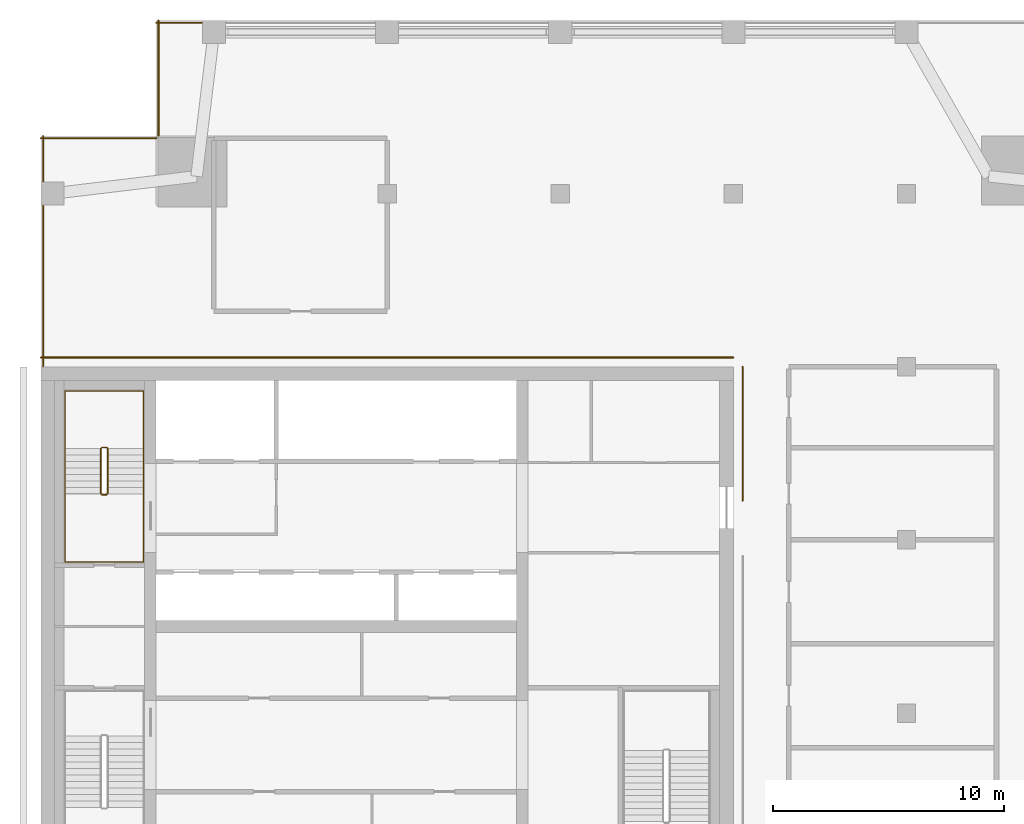
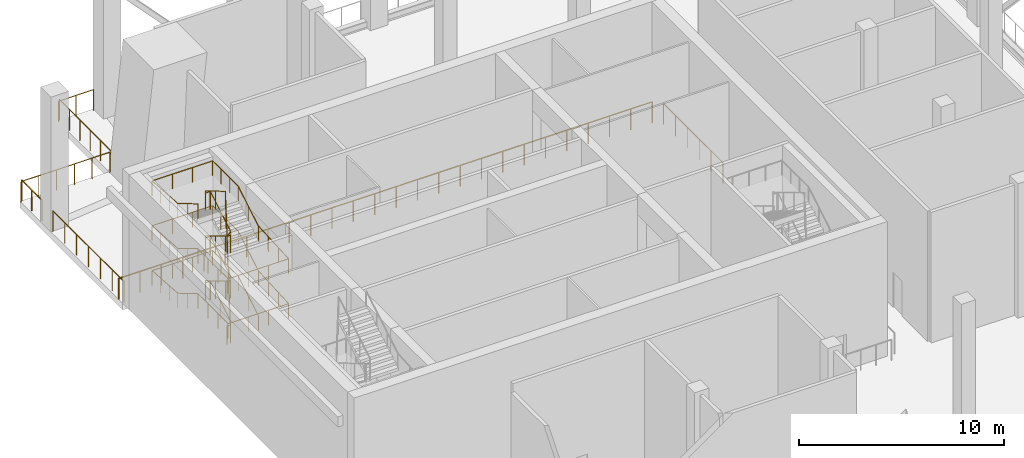
# One storey, part 10 of 11: 9 railings.
"""IFC4 building model written with IfcOpenShell, lengths in metres."""

from ifc_helpers import new_model, si_unit, direction, frame, origin, origin_2d, place, context, subcontext, project, spatial, circle, extrude, material, type_object, element, save


model = new_model("IFC4")

# Units and contexts
model_context = context("Model", 3, precision=1e-05, world=origin(), true_north=direction((0.0, 1.0)))
body_context = subcontext(model_context, "Body", "Model", "MODEL_VIEW")
ifc_project = project(units=[si_unit("LENGTHUNIT", "METRE"), si_unit("AREAUNIT", "SQUARE_METRE"), si_unit("VOLUMEUNIT", "CUBIC_METRE"), si_unit("PLANEANGLEUNIT", "RADIAN"), si_unit("MASSUNIT", "GRAM", prefix="KILO")], contexts=[model_context])

# Site, building, storey
site_placement = place(None, origin())
site = spatial("IfcSite", under=ifc_project, at=site_placement, CompositionType="ELEMENT")
building_placement = place(site_placement, origin())
building = spatial("IfcBuilding", under=site, at=building_placement, Name="Tamorin Gate", CompositionType="ELEMENT")
storey_placement = place(building_placement, frame((0.0, 0.0, 258.199951171875)))
storey = spatial("IfcBuildingStorey", under=building, at=storey_placement, Name="L65", CompositionType="ELEMENT", Elevation=258.199951171875)

# Railings
ifc_material_1 = material(Name="Painted steel balustrade", Category="steel")
railing_type_1 = type_object("IfcRailingType", Name="Stair guard 1100", PredefinedType="GUARDRAIL", material=ifc_material_1)
railing_1_placement = place(storey_placement, frame((32.89990234375, 77.0, 0.166748046875)))
element("IfcRailing", 1, at=railing_1_placement, inside=storey, type_object=railing_type_1, Name="L65 ST2 stair guard 1", PredefinedType="GUARDRAIL", context=body_context, shape_type="SweptSolid", body=[
    extrude(circle(Radius=0.02392578125, at=origin_2d()), frame((0.0, 0.0, 1.076171875), z_axis=(0.0, 0.859272722373, 0.511517730471), x_axis=(-1.0, 0.0, 0.0)), (0.0, 0.0, 1.0), 2.281005859375),
    extrude(circle(Radius=0.02392578125, at=origin_2d()), frame((0.0, 1.9599609375, 2.24267578125), z_axis=(-0.705375805398, 0.708833529934, 0.0), x_axis=(-0.708833529934, -0.705375805398, 0.0)), (0.0, 0.0, 1.0), 0.070556640625),
    extrude(circle(Radius=0.02392578125, at=origin_2d()), frame((-0.0498046875, 2.010009765625, 2.24267578125), z_axis=(-1.0, 0.0, 0.0), x_axis=(0.0, -1.0, 0.0)), (0.0, 0.0, 1.0), 0.2001953125),
    extrude(circle(Radius=0.02392578125, at=origin_2d()), frame((-0.25, 2.010009765625, 2.24267578125), z_axis=(-0.275382897532, -0.276732813696, 0.920642824102), x_axis=(0.708833529934, -0.705375805398, 0.0)), (0.0, 0.0, 1.0), 0.180908203125),
    extrude(circle(Radius=0.02392578125, at=origin_2d()), frame((-0.2998046875, 1.9599609375, 2.4091796875), z_axis=(0.0, -0.859272722373, 0.511517730471), x_axis=(1.0, 0.0, 0.0)), (0.0, 0.0, 1.0), 2.281005859375),
    extrude(circle(Radius=0.02392578125, at=origin_2d()), frame((-0.2998046875, 0.0, 3.576171875), z_axis=(0.98054382908, -0.196300278283, 0.0), x_axis=(0.196300278283, 0.98054382908, 0.0)), (0.0, 0.0, 1.0), 0.2548828125),
    extrude(circle(Radius=0.02392578125, at=origin_2d()), frame((-0.0498046875, -0.050048828125, 3.576171875), z_axis=(-1.0, 0.0, 0.0), x_axis=(0.0, -1.0, 0.0)), (0.0, 0.0, 1.0), 0.2001953125),
    extrude(circle(Radius=0.02392578125, at=origin_2d()), frame((-0.25, -0.050048828125, 3.576171875), z_axis=(0.820621892478, 0.164284656209, 0.547348391174), x_axis=(-0.196300278283, 0.98054382908, 0.0)), (0.0, 0.0, 1.0), 0.3046875),
    extrude(circle(Radius=0.02392578125, at=origin_2d()), frame((0.0, 0.0, 3.74267578125), z_axis=(0.0, 0.85931976652, 0.511438695121), x_axis=(-1.0, 0.0, 0.0)), (0.0, 0.0, 1.0), 2.28076171875),
    extrude(circle(Radius=0.02392578125, at=origin_2d()), frame((0.0, 1.9599609375, 4.9091796875), z_axis=(-0.705375805398, 0.708833529934, 0.0), x_axis=(-0.708833529934, -0.705375805398, 0.0)), (0.0, 0.0, 1.0), 0.070556640625),
    extrude(circle(Radius=0.02392578125, at=origin_2d()), frame((-0.0498046875, 2.010009765625, 4.9091796875), z_axis=(-1.0, 0.0, 0.0), x_axis=(0.0, -1.0, 0.0)), (0.0, 0.0, 1.0), 0.2001953125),
    extrude(circle(Radius=0.02392578125, at=origin_2d()), frame((-0.25, 2.010009765625, 4.9091796875), z_axis=(-0.275041040955, -0.276389281352, 0.920848191041), x_axis=(0.708833529934, -0.705375805398, 0.0)), (0.0, 0.0, 1.0), 0.18115234375),
    extrude(circle(Radius=0.02392578125, at=origin_2d()), frame((-0.2998046875, 1.9599609375, 5.076171875), z_axis=(0.0, -0.859272722373, 0.511517730471), x_axis=(1.0, 0.0, 0.0)), (0.0, 0.0, 1.0), 2.281005859375),
    extrude(circle(Radius=0.02392578125, at=origin_2d()), frame((-0.2998046875, 0.0, 6.24267578125), z_axis=(0.98054382908, -0.196300278283, 0.0), x_axis=(0.196300278283, 0.98054382908, 0.0)), (0.0, 0.0, 1.0), 0.2548828125),
    extrude(circle(Radius=0.02392578125, at=origin_2d()), frame((-0.0498046875, -0.050048828125, 6.24267578125), z_axis=(-1.0, 0.0, 0.0), x_axis=(0.0, -1.0, 0.0)), (0.0, 0.0, 1.0), 0.2001953125),
    extrude(circle(Radius=0.02392578125, at=origin_2d()), frame((-0.25, -0.050048828125, 6.24267578125), z_axis=(0.820981822184, 0.164356712449, 0.546786721416), x_axis=(-0.196300278283, 0.98054382908, 0.0)), (0.0, 0.0, 1.0), 0.304443359375),
    extrude(circle(Radius=0.02392578125, at=origin_2d()), frame((0.0, 0.0, 6.4091796875), z_axis=(0.0, 0.859272722373, 0.511517730471), x_axis=(-1.0, 0.0, 0.0)), (0.0, 0.0, 1.0), 2.281005859375),
    extrude(circle(Radius=0.02392578125, at=origin_2d()), frame((0.0, 1.9599609375, 7.576171875), z_axis=(-0.705375805398, 0.708833529934, 0.0), x_axis=(-0.708833529934, -0.705375805398, 0.0)), (0.0, 0.0, 1.0), 0.070556640625),
    extrude(circle(Radius=0.02392578125, at=origin_2d()), frame((-0.0498046875, 2.010009765625, 7.576171875), z_axis=(-1.0, 0.0, 0.0), x_axis=(0.0, -1.0, 0.0)), (0.0, 0.0, 1.0), 0.2001953125),
    extrude(circle(Radius=0.02392578125, at=origin_2d()), frame((-0.25, 2.010009765625, 7.576171875), z_axis=(-0.275041040955, -0.276389281352, 0.920848191041), x_axis=(0.708833529934, -0.705375805398, 0.0)), (0.0, 0.0, 1.0), 0.18115234375),
    extrude(circle(Radius=0.02392578125, at=origin_2d()), frame((-0.2998046875, 1.9599609375, 7.74267578125), z_axis=(0.0, -0.85931976652, 0.511438695121), x_axis=(1.0, 0.0, 0.0)), (0.0, 0.0, 1.0), 2.28076171875),
    extrude(circle(Radius=0.02392578125, at=origin_2d()), frame((-0.2998046875, 0.0, 8.9091796875), z_axis=(0.031234141746, -0.006252928768, -0.999492535876), x_axis=(0.196300278283, 0.98054382908, 0.0)), (0.0, 0.0, 1.0), 8.004150390625),
    extrude(circle(Radius=0.02392578125, at=origin_2d()), frame((-0.0498046875, -0.050048828125, 0.9091796875), z_axis=(-1.0, 0.0, 0.0), x_axis=(0.0, -1.0, 0.0)), (0.0, 0.0, 1.0), 0.2001953125),
    extrude(circle(Radius=0.02099609375, at=origin_2d()), origin(), (0.0, 0.0, 1.0), 1.052001953125),
    extrude(circle(Radius=0.02099609375, at=origin_2d()), frame((0.0, 0.97998046875, 0.58349609375)), (0.0, 0.0, 1.0), 1.052001953125),
    extrude(circle(Radius=0.02099609375, at=origin_2d()), frame((0.0, 1.9599609375, 1.166748046875)), (0.0, 0.0, 1.0), 1.052001953125),
    extrude(circle(Radius=0.02099609375, at=origin_2d()), frame((-0.0498046875, 2.010009765625, 1.166748046875)), (0.0, 0.0, 1.0), 1.052001953125),
    extrude(circle(Radius=0.02099609375, at=origin_2d()), frame((-0.25, 2.010009765625, 1.166748046875)), (0.0, 0.0, 1.0), 1.052001953125),
    extrude(circle(Radius=0.02099609375, at=origin_2d()), frame((-0.2998046875, 1.9599609375, 1.333251953125)), (0.0, 0.0, 1.0), 1.052001953125),
    extrude(circle(Radius=0.02099609375, at=origin_2d()), frame((-0.2998046875, 0.97998046875, 1.91650390625)), (0.0, 0.0, 1.0), 1.052001953125),
    extrude(circle(Radius=0.02099609375, at=origin_2d()), frame((-0.2998046875, 0.0, 2.5)), (0.0, 0.0, 1.0), 1.052001953125),
    extrude(circle(Radius=0.02099609375, at=origin_2d()), frame((-0.0498046875, -0.050048828125, 2.5)), (0.0, 0.0, 1.0), 1.052001953125),
    extrude(circle(Radius=0.02099609375, at=origin_2d()), frame((-0.25, -0.050048828125, 2.5)), (0.0, 0.0, 1.0), 1.052001953125),
    extrude(circle(Radius=0.02099609375, at=origin_2d()), frame((0.0, 0.0, 2.666748046875)), (0.0, 0.0, 1.0), 1.052001953125),
    extrude(circle(Radius=0.02099609375, at=origin_2d()), frame((0.0, 0.97998046875, 3.25)), (0.0, 0.0, 1.0), 1.052001953125),
    extrude(circle(Radius=0.02099609375, at=origin_2d()), frame((0.0, 1.9599609375, 3.833251953125)), (0.0, 0.0, 1.0), 1.052001953125),
    extrude(circle(Radius=0.02099609375, at=origin_2d()), frame((-0.0498046875, 2.010009765625, 3.833251953125)), (0.0, 0.0, 1.0), 1.052001953125),
    extrude(circle(Radius=0.02099609375, at=origin_2d()), frame((-0.25, 2.010009765625, 3.833251953125)), (0.0, 0.0, 1.0), 1.052001953125),
    extrude(circle(Radius=0.02099609375, at=origin_2d()), frame((-0.2998046875, 1.9599609375, 4.0)), (0.0, 0.0, 1.0), 1.052001953125),
    extrude(circle(Radius=0.02099609375, at=origin_2d()), frame((-0.2998046875, 0.97998046875, 4.58349609375)), (0.0, 0.0, 1.0), 1.052001953125),
    extrude(circle(Radius=0.02099609375, at=origin_2d()), frame((-0.2998046875, 0.0, 5.166748046875)), (0.0, 0.0, 1.0), 1.052001953125),
    extrude(circle(Radius=0.02099609375, at=origin_2d()), frame((-0.0498046875, -0.050048828125, 5.166748046875)), (0.0, 0.0, 1.0), 1.052001953125),
    extrude(circle(Radius=0.02099609375, at=origin_2d()), frame((-0.25, -0.050048828125, 5.166748046875)), (0.0, 0.0, 1.0), 1.052001953125),
    extrude(circle(Radius=0.02099609375, at=origin_2d()), frame((0.0, 0.0, 5.333251953125)), (0.0, 0.0, 1.0), 1.052001953125),
    extrude(circle(Radius=0.02099609375, at=origin_2d()), frame((0.0, 0.97998046875, 5.91650390625)), (0.0, 0.0, 1.0), 1.052001953125),
    extrude(circle(Radius=0.02099609375, at=origin_2d()), frame((0.0, 1.9599609375, 6.5)), (0.0, 0.0, 1.0), 1.052001953125),
    extrude(circle(Radius=0.02099609375, at=origin_2d()), frame((-0.0498046875, 2.010009765625, 6.5)), (0.0, 0.0, 1.0), 1.052001953125),
    extrude(circle(Radius=0.02099609375, at=origin_2d()), frame((-0.25, 2.010009765625, 6.5)), (0.0, 0.0, 1.0), 1.052001953125),
    extrude(circle(Radius=0.02099609375, at=origin_2d()), frame((-0.2998046875, 1.9599609375, 6.666748046875)), (0.0, 0.0, 1.0), 1.052001953125),
    extrude(circle(Radius=0.02099609375, at=origin_2d()), frame((-0.2998046875, 0.97998046875, 7.25)), (0.0, 0.0, 1.0), 1.052001953125),
    extrude(circle(Radius=0.02099609375, at=origin_2d()), frame((-0.2998046875, 0.0, 7.833251953125)), (0.0, 0.0, 1.0), 1.052001953125),
    extrude(circle(Radius=0.02099609375, at=origin_2d()), frame((-0.26416015625, -0.007080078125, 6.6904296875)), (0.0, 0.0, 1.0), 1.052001953125),
    extrude(circle(Radius=0.02099609375, at=origin_2d()), frame((-0.228271484375, -0.014404296875, 5.547607421875)), (0.0, 0.0, 1.0), 1.052001953125),
    extrude(circle(Radius=0.02099609375, at=origin_2d()), frame((-0.192626953125, -0.021484375, 4.40478515625)), (0.0, 0.0, 1.0), 1.052001953125),
    extrude(circle(Radius=0.02099609375, at=origin_2d()), frame((-0.156982421875, -0.028564453125, 3.26171875)), (0.0, 0.0, 1.0), 1.052001953125),
    extrude(circle(Radius=0.02099609375, at=origin_2d()), frame((-0.121337890625, -0.03564453125, 2.118896484375)), (0.0, 0.0, 1.0), 1.052001953125),
    extrude(circle(Radius=0.02099609375, at=origin_2d()), frame((-0.08544921875, -0.04296875, 0.97607421875)), (0.0, 0.0, 1.0), 1.052001953125),
    extrude(circle(Radius=0.02099609375, at=origin_2d()), frame((-0.0498046875, -0.050048828125, -0.166748046875)), (0.0, 0.0, 1.0), 1.052001953125),
    extrude(circle(Radius=0.02099609375, at=origin_2d()), frame((-0.25, -0.050048828125, -0.166748046875)), (0.0, 0.0, 1.0), 1.052001953125),
])
ifc_material_2 = material(Name="Painted steel handrail", Category="steel")
railing_type_2 = type_object("IfcRailingType", Name="Stair handrail 900", PredefinedType="HANDRAIL", material=ifc_material_2)
railing_2_placement = place(storey_placement, frame((34.449951171875, 77.0, 0.166748046875)))
element("IfcRailing", 2, at=railing_2_placement, inside=storey, type_object=railing_type_2, Name="L65 ST2 stair handrail 1", PredefinedType="HANDRAIL", context=body_context, shape_type="SweptSolid", body=[
    extrude(circle(Radius=0.02392578125, at=origin_2d()), frame((0.0, 0.0, 0.8759765625), z_axis=(0.0, 0.859272722373, 0.511517730471), x_axis=(-1.0, 0.0, 0.0)), (0.0, 0.0, 1.0), 2.281005859375),
    extrude(circle(Radius=0.02392578125, at=origin_2d()), frame((0.0, 1.9599609375, 2.04248046875), z_axis=(0.0, 1.0, 0.0), x_axis=(-1.0, 0.0, 0.0)), (0.0, 0.0, 1.0), 2.489990234375),
    extrude(circle(Radius=0.02392578125, at=origin_2d()), frame((0.0, 4.449951171875, 2.04248046875), z_axis=(-1.0, 0.0, 0.0), x_axis=(0.0, -1.0, 0.0)), (0.0, 0.0, 1.0), 3.39990234375),
    extrude(circle(Radius=0.02392578125, at=origin_2d()), frame((-3.39990234375, 4.449951171875, 2.04248046875), z_axis=(0.0, -0.997771718346, 0.066720297275), x_axis=(1.0, 0.0, 0.0)), (0.0, 0.0, 1.0), 2.49560546875),
    extrude(circle(Radius=0.02392578125, at=origin_2d()), frame((-3.39990234375, 1.9599609375, 2.208984375), z_axis=(0.0, -0.859272722373, 0.511517730471), x_axis=(1.0, 0.0, 0.0)), (0.0, 0.0, 1.0), 2.281005859375),
    extrude(circle(Radius=0.02392578125, at=origin_2d()), frame((-3.39990234375, 0.0, 3.3759765625), z_axis=(0.0, -1.0, 0.0), x_axis=(1.0, 0.0, 0.0)), (0.0, 0.0, 1.0), 2.949951171875),
    extrude(circle(Radius=0.02392578125, at=origin_2d()), frame((-3.39990234375, -2.949951171875, 3.3759765625), z_axis=(1.0, 0.0, 0.0), x_axis=(0.0, 1.0, 0.0)), (0.0, 0.0, 1.0), 3.39990234375),
    extrude(circle(Radius=0.02392578125, at=origin_2d()), frame((0.0, -2.949951171875, 3.3759765625), z_axis=(0.0, 0.998406240989, 0.056435608921), x_axis=(-1.0, 0.0, 0.0)), (0.0, 0.0, 1.0), 2.95458984375),
    extrude(circle(Radius=0.02392578125, at=origin_2d()), frame((0.0, 0.0, 3.54248046875), z_axis=(0.0, 0.85931976652, 0.511438695121), x_axis=(-1.0, 0.0, 0.0)), (0.0, 0.0, 1.0), 2.28076171875),
    extrude(circle(Radius=0.02392578125, at=origin_2d()), frame((0.0, 1.9599609375, 4.708984375), z_axis=(0.0, 1.0, 0.0), x_axis=(-1.0, 0.0, 0.0)), (0.0, 0.0, 1.0), 2.489990234375),
    extrude(circle(Radius=0.02392578125, at=origin_2d()), frame((0.0, 4.449951171875, 4.708984375), z_axis=(-1.0, 0.0, 0.0), x_axis=(0.0, -1.0, 0.0)), (0.0, 0.0, 1.0), 3.39990234375),
    extrude(circle(Radius=0.02392578125, at=origin_2d()), frame((-3.39990234375, 4.449951171875, 4.708984375), z_axis=(0.0, -0.99776520091, 0.066817691168), x_axis=(1.0, 0.0, 0.0)), (0.0, 0.0, 1.0), 2.49560546875),
    extrude(circle(Radius=0.02392578125, at=origin_2d()), frame((-3.39990234375, 1.9599609375, 4.8759765625), z_axis=(0.0, -0.859272722373, 0.511517730471), x_axis=(1.0, 0.0, 0.0)), (0.0, 0.0, 1.0), 2.281005859375),
    extrude(circle(Radius=0.02392578125, at=origin_2d()), frame((-3.39990234375, 0.0, 6.04248046875), z_axis=(0.0, -1.0, 0.0), x_axis=(1.0, 0.0, 0.0)), (0.0, 0.0, 1.0), 2.949951171875),
    extrude(circle(Radius=0.02392578125, at=origin_2d()), frame((-3.39990234375, -2.949951171875, 6.04248046875), z_axis=(1.0, 0.0, 0.0), x_axis=(0.0, 1.0, 0.0)), (0.0, 0.0, 1.0), 3.39990234375),
    extrude(circle(Radius=0.02392578125, at=origin_2d()), frame((0.0, -2.949951171875, 6.04248046875), z_axis=(0.0, 0.998410893399, 0.056353242514), x_axis=(-1.0, 0.0, 0.0)), (0.0, 0.0, 1.0), 2.95458984375),
    extrude(circle(Radius=0.02392578125, at=origin_2d()), frame((0.0, 0.0, 6.208984375), z_axis=(0.0, 0.859272722373, 0.511517730471), x_axis=(-1.0, 0.0, 0.0)), (0.0, 0.0, 1.0), 2.281005859375),
    extrude(circle(Radius=0.02392578125, at=origin_2d()), frame((0.0, 1.9599609375, 7.3759765625), z_axis=(0.0, 1.0, 0.0), x_axis=(-1.0, 0.0, 0.0)), (0.0, 0.0, 1.0), 2.489990234375),
    extrude(circle(Radius=0.02392578125, at=origin_2d()), frame((0.0, 4.449951171875, 7.3759765625), z_axis=(-1.0, 0.0, 0.0), x_axis=(0.0, -1.0, 0.0)), (0.0, 0.0, 1.0), 3.39990234375),
    extrude(circle(Radius=0.02392578125, at=origin_2d()), frame((-3.39990234375, 4.449951171875, 7.3759765625), z_axis=(0.0, -0.99776520091, 0.066817691168), x_axis=(1.0, 0.0, 0.0)), (0.0, 0.0, 1.0), 2.49560546875),
    extrude(circle(Radius=0.02392578125, at=origin_2d()), frame((-3.39990234375, 1.9599609375, 7.54248046875), z_axis=(0.0, -0.85931976652, 0.511438695121), x_axis=(1.0, 0.0, 0.0)), (0.0, 0.0, 1.0), 2.28076171875),
    extrude(circle(Radius=0.02099609375, at=origin_2d()), origin(), (0.0, 0.0, 1.0), 0.851806640625),
    extrude(circle(Radius=0.02099609375, at=origin_2d()), frame((0.0, 0.97998046875, 0.58349609375)), (0.0, 0.0, 1.0), 0.851806640625),
    extrude(circle(Radius=0.02099609375, at=origin_2d()), frame((0.0, 1.9599609375, 1.166748046875)), (0.0, 0.0, 1.0), 0.851806640625),
    extrude(circle(Radius=0.02099609375, at=origin_2d()), frame((0.0, 2.7900390625, 1.166748046875)), (0.0, 0.0, 1.0), 0.851806640625),
    extrude(circle(Radius=0.02099609375, at=origin_2d()), frame((0.0, 3.619873046875, 1.166748046875)), (0.0, 0.0, 1.0), 0.851806640625),
    extrude(circle(Radius=0.02099609375, at=origin_2d()), frame((0.0, 4.449951171875, 1.166748046875)), (0.0, 0.0, 1.0), 0.851806640625),
    extrude(circle(Radius=0.02099609375, at=origin_2d()), frame((-1.13330078125, 4.449951171875, 1.166748046875)), (0.0, 0.0, 1.0), 0.851806640625),
    extrude(circle(Radius=0.02099609375, at=origin_2d()), frame((-2.2666015625, 4.449951171875, 1.166748046875)), (0.0, 0.0, 1.0), 0.851806640625),
    extrude(circle(Radius=0.02099609375, at=origin_2d()), frame((-3.39990234375, 4.449951171875, 1.166748046875)), (0.0, 0.0, 1.0), 0.851806640625),
    extrude(circle(Radius=0.02099609375, at=origin_2d()), frame((-3.39990234375, 3.619873046875, 1.22216796875)), (0.0, 0.0, 1.0), 0.851806640625),
    extrude(circle(Radius=0.02099609375, at=origin_2d()), frame((-3.39990234375, 2.7900390625, 1.27783203125)), (0.0, 0.0, 1.0), 0.851806640625),
    extrude(circle(Radius=0.02099609375, at=origin_2d()), frame((-3.39990234375, 1.9599609375, 1.333251953125)), (0.0, 0.0, 1.0), 0.851806640625),
    extrude(circle(Radius=0.02099609375, at=origin_2d()), frame((-3.39990234375, 0.97998046875, 1.91650390625)), (0.0, 0.0, 1.0), 0.851806640625),
    extrude(circle(Radius=0.02099609375, at=origin_2d()), frame((-3.39990234375, 0.0, 2.5)), (0.0, 0.0, 1.0), 0.851806640625),
    extrude(circle(Radius=0.02099609375, at=origin_2d()), frame((-3.39990234375, -0.9833984375, 2.5)), (0.0, 0.0, 1.0), 0.851806640625),
    extrude(circle(Radius=0.02099609375, at=origin_2d()), frame((-3.39990234375, -1.966552734375, 2.5)), (0.0, 0.0, 1.0), 0.851806640625),
    extrude(circle(Radius=0.02099609375, at=origin_2d()), frame((-3.39990234375, -2.949951171875, 2.5)), (0.0, 0.0, 1.0), 0.851806640625),
    extrude(circle(Radius=0.02099609375, at=origin_2d()), frame((-2.2666015625, -2.949951171875, 2.5)), (0.0, 0.0, 1.0), 0.851806640625),
    extrude(circle(Radius=0.02099609375, at=origin_2d()), frame((-1.13330078125, -2.949951171875, 2.5)), (0.0, 0.0, 1.0), 0.851806640625),
    extrude(circle(Radius=0.02099609375, at=origin_2d()), frame((0.0, -2.949951171875, 2.5)), (0.0, 0.0, 1.0), 0.851806640625),
    extrude(circle(Radius=0.02099609375, at=origin_2d()), frame((0.0, -1.966552734375, 2.5556640625)), (0.0, 0.0, 1.0), 0.851806640625),
    extrude(circle(Radius=0.02099609375, at=origin_2d()), frame((0.0, -0.9833984375, 2.611083984375)), (0.0, 0.0, 1.0), 0.851806640625),
    extrude(circle(Radius=0.02099609375, at=origin_2d()), frame((0.0, 0.0, 2.666748046875)), (0.0, 0.0, 1.0), 0.851806640625),
    extrude(circle(Radius=0.02099609375, at=origin_2d()), frame((0.0, 0.97998046875, 3.25)), (0.0, 0.0, 1.0), 0.851806640625),
    extrude(circle(Radius=0.02099609375, at=origin_2d()), frame((0.0, 1.9599609375, 3.833251953125)), (0.0, 0.0, 1.0), 0.851806640625),
    extrude(circle(Radius=0.02099609375, at=origin_2d()), frame((0.0, 2.7900390625, 3.833251953125)), (0.0, 0.0, 1.0), 0.851806640625),
    extrude(circle(Radius=0.02099609375, at=origin_2d()), frame((0.0, 3.619873046875, 3.833251953125)), (0.0, 0.0, 1.0), 0.851806640625),
    extrude(circle(Radius=0.02099609375, at=origin_2d()), frame((0.0, 4.449951171875, 3.833251953125)), (0.0, 0.0, 1.0), 0.851806640625),
    extrude(circle(Radius=0.02099609375, at=origin_2d()), frame((-1.13330078125, 4.449951171875, 3.833251953125)), (0.0, 0.0, 1.0), 0.851806640625),
    extrude(circle(Radius=0.02099609375, at=origin_2d()), frame((-2.2666015625, 4.449951171875, 3.833251953125)), (0.0, 0.0, 1.0), 0.851806640625),
    extrude(circle(Radius=0.02099609375, at=origin_2d()), frame((-3.39990234375, 4.449951171875, 3.833251953125)), (0.0, 0.0, 1.0), 0.851806640625),
    extrude(circle(Radius=0.02099609375, at=origin_2d()), frame((-3.39990234375, 3.619873046875, 3.888916015625)), (0.0, 0.0, 1.0), 0.851806640625),
    extrude(circle(Radius=0.02099609375, at=origin_2d()), frame((-3.39990234375, 2.7900390625, 3.9443359375)), (0.0, 0.0, 1.0), 0.851806640625),
    extrude(circle(Radius=0.02099609375, at=origin_2d()), frame((-3.39990234375, 1.9599609375, 4.0)), (0.0, 0.0, 1.0), 0.851806640625),
    extrude(circle(Radius=0.02099609375, at=origin_2d()), frame((-3.39990234375, 0.97998046875, 4.58349609375)), (0.0, 0.0, 1.0), 0.851806640625),
    extrude(circle(Radius=0.02099609375, at=origin_2d()), frame((-3.39990234375, 0.0, 5.166748046875)), (0.0, 0.0, 1.0), 0.851806640625),
    extrude(circle(Radius=0.02099609375, at=origin_2d()), frame((-3.39990234375, -0.9833984375, 5.166748046875)), (0.0, 0.0, 1.0), 0.851806640625),
    extrude(circle(Radius=0.02099609375, at=origin_2d()), frame((-3.39990234375, -1.966552734375, 5.166748046875)), (0.0, 0.0, 1.0), 0.851806640625),
    extrude(circle(Radius=0.02099609375, at=origin_2d()), frame((-3.39990234375, -2.949951171875, 5.166748046875)), (0.0, 0.0, 1.0), 0.851806640625),
    extrude(circle(Radius=0.02099609375, at=origin_2d()), frame((-2.2666015625, -2.949951171875, 5.166748046875)), (0.0, 0.0, 1.0), 0.851806640625),
    extrude(circle(Radius=0.02099609375, at=origin_2d()), frame((-1.13330078125, -2.949951171875, 5.166748046875)), (0.0, 0.0, 1.0), 0.851806640625),
    extrude(circle(Radius=0.02099609375, at=origin_2d()), frame((0.0, -2.949951171875, 5.166748046875)), (0.0, 0.0, 1.0), 0.851806640625),
    extrude(circle(Radius=0.02099609375, at=origin_2d()), frame((0.0, -1.966552734375, 5.22216796875)), (0.0, 0.0, 1.0), 0.851806640625),
    extrude(circle(Radius=0.02099609375, at=origin_2d()), frame((0.0, -0.9833984375, 5.27783203125)), (0.0, 0.0, 1.0), 0.851806640625),
    extrude(circle(Radius=0.02099609375, at=origin_2d()), frame((0.0, 0.0, 5.333251953125)), (0.0, 0.0, 1.0), 0.851806640625),
    extrude(circle(Radius=0.02099609375, at=origin_2d()), frame((0.0, 0.97998046875, 5.91650390625)), (0.0, 0.0, 1.0), 0.851806640625),
    extrude(circle(Radius=0.02099609375, at=origin_2d()), frame((0.0, 1.9599609375, 6.5)), (0.0, 0.0, 1.0), 0.851806640625),
    extrude(circle(Radius=0.02099609375, at=origin_2d()), frame((0.0, 2.7900390625, 6.5)), (0.0, 0.0, 1.0), 0.851806640625),
    extrude(circle(Radius=0.02099609375, at=origin_2d()), frame((0.0, 3.619873046875, 6.5)), (0.0, 0.0, 1.0), 0.851806640625),
    extrude(circle(Radius=0.02099609375, at=origin_2d()), frame((0.0, 4.449951171875, 6.5)), (0.0, 0.0, 1.0), 0.851806640625),
    extrude(circle(Radius=0.02099609375, at=origin_2d()), frame((-1.13330078125, 4.449951171875, 6.5)), (0.0, 0.0, 1.0), 0.851806640625),
    extrude(circle(Radius=0.02099609375, at=origin_2d()), frame((-2.2666015625, 4.449951171875, 6.5)), (0.0, 0.0, 1.0), 0.851806640625),
    extrude(circle(Radius=0.02099609375, at=origin_2d()), frame((-3.39990234375, 4.449951171875, 6.5)), (0.0, 0.0, 1.0), 0.851806640625),
    extrude(circle(Radius=0.02099609375, at=origin_2d()), frame((-3.39990234375, 3.619873046875, 6.5556640625)), (0.0, 0.0, 1.0), 0.851806640625),
    extrude(circle(Radius=0.02099609375, at=origin_2d()), frame((-3.39990234375, 2.7900390625, 6.611083984375)), (0.0, 0.0, 1.0), 0.851806640625),
    extrude(circle(Radius=0.02099609375, at=origin_2d()), frame((-3.39990234375, 1.9599609375, 6.666748046875)), (0.0, 0.0, 1.0), 0.851806640625),
    extrude(circle(Radius=0.02099609375, at=origin_2d()), frame((-3.39990234375, 0.97998046875, 7.25)), (0.0, 0.0, 1.0), 0.851806640625),
    extrude(circle(Radius=0.02099609375, at=origin_2d()), frame((-3.39990234375, 0.0, 7.833251953125)), (0.0, 0.0, 1.0), 0.851806640625),
])
ifc_material_3 = material(Name="Stainless steel", Category="steel")
railing_type_3 = type_object("IfcRailingType", Name="Wind floor guard 1250", PredefinedType="GUARDRAIL", material=ifc_material_3)
railing_3_placement = place(storey_placement, frame((36.969970703125, 97.39990234375, 0.0)))
element("IfcRailing", 3, at=railing_3_placement, inside=storey, type_object=railing_type_3, Name="Open edge guard", PredefinedType="GUARDRAIL", context=body_context, shape_type="SweptSolid", body=[
    extrude(circle(Radius=0.02392578125, at=origin_2d()), frame((0.0, 0.0, 1.22607421875), z_axis=(-1.0, 0.0, 0.0), x_axis=(0.0, -1.0, 0.0)), (0.0, 0.0, 1.0), 1.969970703125),
    extrude(circle(Radius=0.02099609375, at=origin_2d()), origin(), (0.0, 0.0, 1.0), 1.201904296875),
    extrude(circle(Radius=0.02099609375, at=origin_2d()), frame((-0.98486328125, 0.0, 0.0)), (0.0, 0.0, 1.0), 1.201904296875),
    extrude(circle(Radius=0.02099609375, at=origin_2d()), frame((-1.969970703125, 0.0, 0.0)), (0.0, 0.0, 1.0), 1.201904296875),
])
railing_4_placement = place(storey_placement, frame((35.10009765625, 97.5, 0.0)))
element("IfcRailing", 4, at=railing_4_placement, inside=storey, type_object=railing_type_3, Name="Open edge guard", PredefinedType="GUARDRAIL", context=body_context, shape_type="SweptSolid", body=[
    extrude(circle(Radius=0.02392578125, at=origin_2d()), frame((0.0, 0.0, 1.22607421875), z_axis=(0.0, -1.0, 0.0), x_axis=(1.0, 0.0, 0.0)), (0.0, 0.0, 1.0), 5.0),
    extrude(circle(Radius=0.02099609375, at=origin_2d()), origin(), (0.0, 0.0, 1.0), 1.201904296875),
    extrude(circle(Radius=0.02099609375, at=origin_2d()), frame((0.0, -1.0, 0.0)), (0.0, 0.0, 1.0), 1.201904296875),
    extrude(circle(Radius=0.02099609375, at=origin_2d()), frame((0.0, -2.0, 0.0)), (0.0, 0.0, 1.0), 1.201904296875),
    extrude(circle(Radius=0.02099609375, at=origin_2d()), frame((0.0, -3.0, 0.0)), (0.0, 0.0, 1.0), 1.201904296875),
    extrude(circle(Radius=0.02099609375, at=origin_2d()), frame((0.0, -4.0, 0.0)), (0.0, 0.0, 1.0), 1.201904296875),
    extrude(circle(Radius=0.02099609375, at=origin_2d()), frame((0.0, -5.0, 0.0)), (0.0, 0.0, 1.0), 1.201904296875),
])
railing_5_placement = place(storey_placement, frame((35.0, 92.39990234375, 0.0)))
element("IfcRailing", 5, at=railing_5_placement, inside=storey, type_object=railing_type_3, Name="Open edge guard", PredefinedType="GUARDRAIL", context=body_context, shape_type="SweptSolid", body=[
    extrude(circle(Radius=0.02392578125, at=origin_2d()), frame((0.0, 0.0, 1.22607421875), z_axis=(-1.0, 0.0, 0.0), x_axis=(0.0, -1.0, 0.0)), (0.0, 0.0, 1.0), 5.0),
    extrude(circle(Radius=0.02099609375, at=origin_2d()), origin(), (0.0, 0.0, 1.0), 1.201904296875),
    extrude(circle(Radius=0.02099609375, at=origin_2d()), frame((-1.0, 0.0, 0.0)), (0.0, 0.0, 1.0), 1.201904296875),
    extrude(circle(Radius=0.02099609375, at=origin_2d()), frame((-2.0, 0.0, 0.0)), (0.0, 0.0, 1.0), 1.201904296875),
    extrude(circle(Radius=0.02099609375, at=origin_2d()), frame((-3.0, 0.0, 0.0)), (0.0, 0.0, 1.0), 1.201904296875),
    extrude(circle(Radius=0.02099609375, at=origin_2d()), frame((-4.0, 0.0, 0.0)), (0.0, 0.0, 1.0), 1.201904296875),
    extrude(circle(Radius=0.02099609375, at=origin_2d()), frame((-5.0, 0.0, 0.0)), (0.0, 0.0, 1.0), 1.201904296875),
])
railing_6_placement = place(storey_placement, frame((30.10009765625, 92.5, 0.0)))
element("IfcRailing", 6, at=railing_6_placement, inside=storey, type_object=railing_type_3, Name="Open edge guard", PredefinedType="GUARDRAIL", context=body_context, shape_type="SweptSolid", body=[
    extrude(circle(Radius=0.02392578125, at=origin_2d()), frame((0.0, 0.0, 1.22607421875), z_axis=(0.0, -1.0, 0.0), x_axis=(1.0, 0.0, 0.0)), (0.0, 0.0, 1.0), 1.969970703125),
    extrude(circle(Radius=0.02099609375, at=origin_2d()), origin(), (0.0, 0.0, 1.0), 1.201904296875),
    extrude(circle(Radius=0.02099609375, at=origin_2d()), frame((0.0, -0.98486328125, 0.0)), (0.0, 0.0, 1.0), 1.201904296875),
    extrude(circle(Radius=0.02099609375, at=origin_2d()), frame((0.0, -1.969970703125, 0.0)), (0.0, 0.0, 1.0), 1.201904296875),
])
railing_7_placement = place(storey_placement, frame((30.10009765625, 89.469970703125, 0.0)))
element("IfcRailing", 7, at=railing_7_placement, inside=storey, type_object=railing_type_3, Name="Open edge guard", PredefinedType="GUARDRAIL", context=body_context, shape_type="SweptSolid", body=[
    extrude(circle(Radius=0.02392578125, at=origin_2d()), frame((0.0, 0.0, 1.22607421875), z_axis=(0.0, -1.0, 0.0), x_axis=(1.0, 0.0, 0.0)), (0.0, 0.0, 1.0), 6.93994140625),
    extrude(circle(Radius=0.02099609375, at=origin_2d()), origin(), (0.0, 0.0, 1.0), 1.201904296875),
    extrude(circle(Radius=0.02099609375, at=origin_2d()), frame((0.0, -1.15673828125, 0.0)), (0.0, 0.0, 1.0), 1.201904296875),
    extrude(circle(Radius=0.02099609375, at=origin_2d()), frame((0.0, -2.313232421875, 0.0)), (0.0, 0.0, 1.0), 1.201904296875),
    extrude(circle(Radius=0.02099609375, at=origin_2d()), frame((0.0, -3.469970703125, 0.0)), (0.0, 0.0, 1.0), 1.201904296875),
    extrude(circle(Radius=0.02099609375, at=origin_2d()), frame((0.0, -4.626708984375, 0.0)), (0.0, 0.0, 1.0), 1.201904296875),
    extrude(circle(Radius=0.02099609375, at=origin_2d()), frame((0.0, -5.783203125, 0.0)), (0.0, 0.0, 1.0), 1.201904296875),
    extrude(circle(Radius=0.02099609375, at=origin_2d()), frame((0.0, -6.93994140625, 0.0)), (0.0, 0.0, 1.0), 1.201904296875),
])
railing_8_placement = place(storey_placement, frame((60.39990234375, 76.699951171875, 0.0)))
element("IfcRailing", 8, at=railing_8_placement, inside=storey, type_object=railing_type_3, Name="Open edge guard core", PredefinedType="GUARDRAIL", context=body_context, shape_type="SweptSolid", body=[
    extrude(circle(Radius=0.02392578125, at=origin_2d()), frame((0.0, 0.0, 1.22607421875), z_axis=(0.0, 1.0, 0.0), x_axis=(-1.0, 0.0, 0.0)), (0.0, 0.0, 1.0), 5.800048828125),
    extrude(circle(Radius=0.02099609375, at=origin_2d()), origin(), (0.0, 0.0, 1.0), 1.201904296875),
    extrude(circle(Radius=0.02099609375, at=origin_2d()), frame((0.0, 1.159912109375, 0.0)), (0.0, 0.0, 1.0), 1.201904296875),
    extrude(circle(Radius=0.02099609375, at=origin_2d()), frame((0.0, 2.320068359375, 0.0)), (0.0, 0.0, 1.0), 1.201904296875),
    extrude(circle(Radius=0.02099609375, at=origin_2d()), frame((0.0, 3.47998046875, 0.0)), (0.0, 0.0, 1.0), 1.201904296875),
    extrude(circle(Radius=0.02099609375, at=origin_2d()), frame((0.0, 4.64013671875, 0.0)), (0.0, 0.0, 1.0), 1.201904296875),
    extrude(circle(Radius=0.02099609375, at=origin_2d()), frame((0.0, 5.800048828125, 0.0)), (0.0, 0.0, 1.0), 1.201904296875),
])
railing_9_placement = place(storey_placement, frame((30.0, 82.89990234375, 0.0)))
element("IfcRailing", 9, at=railing_9_placement, inside=storey, type_object=railing_type_3, Name="Open edge guard core", PredefinedType="GUARDRAIL", context=body_context, shape_type="SweptSolid", body=[
    extrude(circle(Radius=0.02392578125, at=origin_2d()), frame((0.0, 0.0, 1.22607421875), z_axis=(1.0, 0.0, 0.0), x_axis=(0.0, 1.0, 0.0)), (0.0, 0.0, 1.0), 30.0),
    extrude(circle(Radius=0.02099609375, at=origin_2d()), origin(), (0.0, 0.0, 1.0), 1.201904296875),
    extrude(circle(Radius=0.02099609375, at=origin_2d()), frame((1.199951171875, 0.0, 0.0)), (0.0, 0.0, 1.0), 1.201904296875),
    extrude(circle(Radius=0.02099609375, at=origin_2d()), frame((2.39990234375, 0.0, 0.0)), (0.0, 0.0, 1.0), 1.201904296875),
    extrude(circle(Radius=0.02099609375, at=origin_2d()), frame((3.60009765625, 0.0, 0.0)), (0.0, 0.0, 1.0), 1.201904296875),
    extrude(circle(Radius=0.02099609375, at=origin_2d()), frame((4.800048828125, 0.0, 0.0)), (0.0, 0.0, 1.0), 1.201904296875),
    extrude(circle(Radius=0.02099609375, at=origin_2d()), frame((6.0, 0.0, 0.0)), (0.0, 0.0, 1.0), 1.201904296875),
    extrude(circle(Radius=0.02099609375, at=origin_2d()), frame((7.199951171875, 0.0, 0.0)), (0.0, 0.0, 1.0), 1.201904296875),
    extrude(circle(Radius=0.02099609375, at=origin_2d()), frame((8.39990234375, 0.0, 0.0)), (0.0, 0.0, 1.0), 1.201904296875),
    extrude(circle(Radius=0.02099609375, at=origin_2d()), frame((9.60009765625, 0.0, 0.0)), (0.0, 0.0, 1.0), 1.201904296875),
    extrude(circle(Radius=0.02099609375, at=origin_2d()), frame((10.800048828125, 0.0, 0.0)), (0.0, 0.0, 1.0), 1.201904296875),
    extrude(circle(Radius=0.02099609375, at=origin_2d()), frame((12.0, 0.0, 0.0)), (0.0, 0.0, 1.0), 1.201904296875),
    extrude(circle(Radius=0.02099609375, at=origin_2d()), frame((13.199951171875, 0.0, 0.0)), (0.0, 0.0, 1.0), 1.201904296875),
    extrude(circle(Radius=0.02099609375, at=origin_2d()), frame((14.39990234375, 0.0, 0.0)), (0.0, 0.0, 1.0), 1.201904296875),
    extrude(circle(Radius=0.02099609375, at=origin_2d()), frame((15.60009765625, 0.0, 0.0)), (0.0, 0.0, 1.0), 1.201904296875),
    extrude(circle(Radius=0.02099609375, at=origin_2d()), frame((16.800048828125, 0.0, 0.0)), (0.0, 0.0, 1.0), 1.201904296875),
    extrude(circle(Radius=0.02099609375, at=origin_2d()), frame((18.0, 0.0, 0.0)), (0.0, 0.0, 1.0), 1.201904296875),
    extrude(circle(Radius=0.02099609375, at=origin_2d()), frame((19.199951171875, 0.0, 0.0)), (0.0, 0.0, 1.0), 1.201904296875),
    extrude(circle(Radius=0.02099609375, at=origin_2d()), frame((20.39990234375, 0.0, 0.0)), (0.0, 0.0, 1.0), 1.201904296875),
    extrude(circle(Radius=0.02099609375, at=origin_2d()), frame((21.60009765625, 0.0, 0.0)), (0.0, 0.0, 1.0), 1.201904296875),
    extrude(circle(Radius=0.02099609375, at=origin_2d()), frame((22.800048828125, 0.0, 0.0)), (0.0, 0.0, 1.0), 1.201904296875),
    extrude(circle(Radius=0.02099609375, at=origin_2d()), frame((24.0, 0.0, 0.0)), (0.0, 0.0, 1.0), 1.201904296875),
    extrude(circle(Radius=0.02099609375, at=origin_2d()), frame((25.199951171875, 0.0, 0.0)), (0.0, 0.0, 1.0), 1.201904296875),
    extrude(circle(Radius=0.02099609375, at=origin_2d()), frame((26.39990234375, 0.0, 0.0)), (0.0, 0.0, 1.0), 1.201904296875),
    extrude(circle(Radius=0.02099609375, at=origin_2d()), frame((27.60009765625, 0.0, 0.0)), (0.0, 0.0, 1.0), 1.201904296875),
    extrude(circle(Radius=0.02099609375, at=origin_2d()), frame((28.800048828125, 0.0, 0.0)), (0.0, 0.0, 1.0), 1.201904296875),
    extrude(circle(Radius=0.02099609375, at=origin_2d()), frame((30.0, 0.0, 0.0)), (0.0, 0.0, 1.0), 1.201904296875),
])

save(model, "model.ifc")
